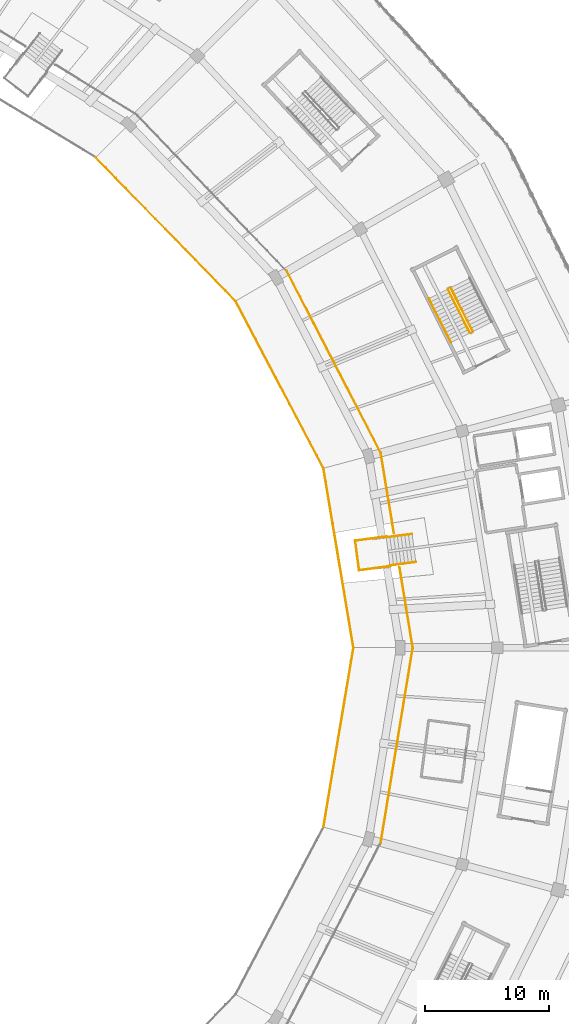
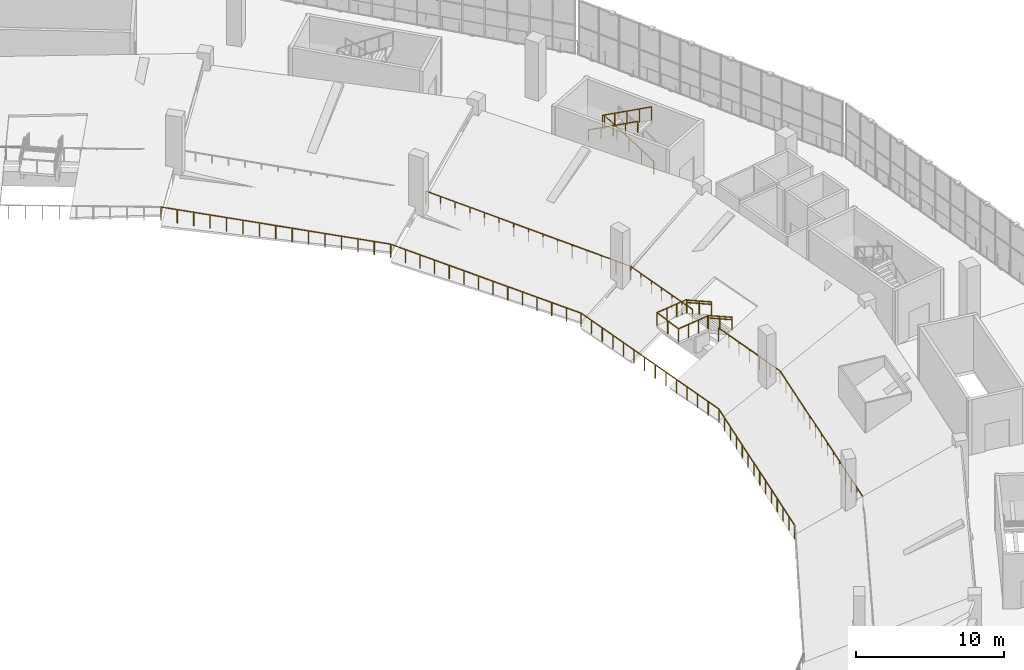
# One storey, part 133 of 152: 18 railings.
"""IFC4 building model written with IfcOpenShell, lengths in metres."""

from ifc_helpers import new_model, si_unit, direction, frame, origin, origin_2d, place, context, subcontext, project, spatial, circle, extrude, material, type_object, element, save


model = new_model("IFC4")

# Units and contexts
model_context = context("Model", 3, precision=1e-05, world=origin(), true_north=direction((0.0, 1.0)))
body_context = subcontext(model_context, "Body", "Model", "MODEL_VIEW")
ifc_project = project(units=[si_unit("LENGTHUNIT", "METRE"), si_unit("AREAUNIT", "SQUARE_METRE"), si_unit("VOLUMEUNIT", "CUBIC_METRE"), si_unit("PLANEANGLEUNIT", "RADIAN"), si_unit("MASSUNIT", "GRAM", prefix="KILO")], contexts=[model_context])

# Site, building, storey
site_placement = place(None, origin())
site = spatial("IfcSite", under=ifc_project, at=site_placement, CompositionType="ELEMENT")
building_placement = place(site_placement, origin())
building = spatial("IfcBuilding", under=site, at=building_placement, Name="Zevraka Park Crest Stadium", CompositionType="ELEMENT")
storey_placement = place(building_placement, frame((0.0, 0.0, 15.0)))
storey = spatial("IfcBuildingStorey", under=building, at=storey_placement, Name="L03", CompositionType="ELEMENT", Elevation=15.0)

# Railings
ifc_material_1 = material(Name="Galvanised and bronze-finished steel balustrade", Category="steel")
railing_type_1 = type_object("IfcRailingType", Name="GR01", PredefinedType="GUARDRAIL", material=ifc_material_1)
railing_1_placement = place(storey_placement, frame((184.944091796875, 76.3291015625, 0.0)))
element("IfcRailing", 1, at=railing_1_placement, inside=storey, type_object=railing_type_1, Name="Deck Edge Protection Guardrail GR01 L03-62", PredefinedType="GUARDRAIL", context=body_context, shape_type="SweptSolid", body=[
    extrude(circle(Radius=0.02392578125, at=origin_2d()), frame((0.0, 0.0, 1.076171875), z_axis=(0.162250715874, 0.986749565593, 0.0), x_axis=(-0.986749565593, 0.162250715874, 0.0)), (0.0, 0.0, 1.0), 15.8701171875),
    extrude(circle(Radius=0.02099609375, at=origin_2d()), origin(), (0.0, 0.0, 1.0), 1.052001953125),
    extrude(circle(Radius=0.02099609375, at=origin_2d()), frame((0.183837890625, 1.11865234375, 0.0)), (0.0, 0.0, 1.0), 1.052001953125),
    extrude(circle(Radius=0.02099609375, at=origin_2d()), frame((0.367919921875, 2.237060546875, 0.0)), (0.0, 0.0, 1.0), 1.052001953125),
    extrude(circle(Radius=0.02099609375, at=origin_2d()), frame((0.5517578125, 3.355712890625, 0.0)), (0.0, 0.0, 1.0), 1.052001953125),
    extrude(circle(Radius=0.02099609375, at=origin_2d()), frame((0.735595703125, 4.474365234375, 0.0)), (0.0, 0.0, 1.0), 1.052001953125),
    extrude(circle(Radius=0.02099609375, at=origin_2d()), frame((0.919677734375, 5.5927734375, 0.0)), (0.0, 0.0, 1.0), 1.052001953125),
    extrude(circle(Radius=0.02099609375, at=origin_2d()), frame((1.103515625, 6.71142578125, 0.0)), (0.0, 0.0, 1.0), 1.052001953125),
    extrude(circle(Radius=0.02099609375, at=origin_2d()), frame((1.28759765625, 7.830078125, 0.0)), (0.0, 0.0, 1.0), 1.052001953125),
    extrude(circle(Radius=0.02099609375, at=origin_2d()), frame((1.471435546875, 8.948486328125, 0.0)), (0.0, 0.0, 1.0), 1.052001953125),
    extrude(circle(Radius=0.02099609375, at=origin_2d()), frame((1.6552734375, 10.067138671875, 0.0)), (0.0, 0.0, 1.0), 1.052001953125),
    extrude(circle(Radius=0.02099609375, at=origin_2d()), frame((1.83935546875, 11.185546875, 0.0)), (0.0, 0.0, 1.0), 1.052001953125),
    extrude(circle(Radius=0.02099609375, at=origin_2d()), frame((2.023193359375, 12.30419921875, 0.0)), (0.0, 0.0, 1.0), 1.052001953125),
    extrude(circle(Radius=0.02099609375, at=origin_2d()), frame((2.20703125, 13.4228515625, 0.0)), (0.0, 0.0, 1.0), 1.052001953125),
    extrude(circle(Radius=0.02099609375, at=origin_2d()), frame((2.39111328125, 14.541259765625, 0.0)), (0.0, 0.0, 1.0), 1.052001953125),
    extrude(circle(Radius=0.02099609375, at=origin_2d()), frame((2.574951171875, 15.659912109375, 0.0)), (0.0, 0.0, 1.0), 1.052001953125),
])
railing_2_placement = place(storey_placement, frame((187.51904296875, 91.989013671875, 0.0)))
element("IfcRailing", 2, at=railing_2_placement, inside=storey, type_object=railing_type_1, Name="Deck Edge Protection Guardrail GR01 L03-63", PredefinedType="GUARDRAIL", context=body_context, shape_type="SweptSolid", body=[
    extrude(circle(Radius=0.02392578125, at=origin_2d()), frame((0.0, 0.0, 1.076171875), z_axis=(-0.16161667002, 0.98685361223, 0.0), x_axis=(-0.98685361223, -0.16161667002, 0.0)), (0.0, 0.0, 1.0), 6.547119140625),
    extrude(circle(Radius=0.02099609375, at=origin_2d()), origin(), (0.0, 0.0, 1.0), 1.052001953125),
    extrude(circle(Radius=0.02099609375, at=origin_2d()), frame((-0.17626953125, 1.076904296875, 0.0)), (0.0, 0.0, 1.0), 1.052001953125),
    extrude(circle(Radius=0.02099609375, at=origin_2d()), frame((-0.352783203125, 2.153564453125, 0.0)), (0.0, 0.0, 1.0), 1.052001953125),
    extrude(circle(Radius=0.02099609375, at=origin_2d()), frame((-0.529052734375, 3.23046875, 0.0)), (0.0, 0.0, 1.0), 1.052001953125),
    extrude(circle(Radius=0.02099609375, at=origin_2d()), frame((-0.705322265625, 4.307373046875, 0.0)), (0.0, 0.0, 1.0), 1.052001953125),
    extrude(circle(Radius=0.02099609375, at=origin_2d()), frame((-0.8818359375, 5.384033203125, 0.0)), (0.0, 0.0, 1.0), 1.052001953125),
    extrude(circle(Radius=0.02099609375, at=origin_2d()), frame((-1.05810546875, 6.4609375, 0.0)), (0.0, 0.0, 1.0), 1.052001953125),
])
railing_3_placement = place(storey_placement, frame((186.007080078125, 101.214111328125, 0.0)))
element("IfcRailing", 3, at=railing_3_placement, inside=storey, type_object=railing_type_1, Name="Deck Edge Protection Guardrail GR01 L03-64", PredefinedType="GUARDRAIL", context=body_context, shape_type="SweptSolid", body=[
    extrude(circle(Radius=0.02392578125, at=origin_2d()), frame((0.0, 0.0, 1.076171875), z_axis=(-0.162742913329, 0.986668507738, 0.0), x_axis=(-0.986668507738, -0.162742913329, 0.0)), (0.0, 0.0, 1.0), 6.55126953125),
    extrude(circle(Radius=0.02099609375, at=origin_2d()), origin(), (0.0, 0.0, 1.0), 1.052001953125),
    extrude(circle(Radius=0.02099609375, at=origin_2d()), frame((-0.177734375, 1.077392578125, 0.0)), (0.0, 0.0, 1.0), 1.052001953125),
    extrude(circle(Radius=0.02099609375, at=origin_2d()), frame((-0.35546875, 2.154541015625, 0.0)), (0.0, 0.0, 1.0), 1.052001953125),
    extrude(circle(Radius=0.02099609375, at=origin_2d()), frame((-0.533203125, 3.23193359375, 0.0)), (0.0, 0.0, 1.0), 1.052001953125),
    extrude(circle(Radius=0.02099609375, at=origin_2d()), frame((-0.710693359375, 4.309326171875, 0.0)), (0.0, 0.0, 1.0), 1.052001953125),
    extrude(circle(Radius=0.02099609375, at=origin_2d()), frame((-0.888427734375, 5.386474609375, 0.0)), (0.0, 0.0, 1.0), 1.052001953125),
    extrude(circle(Radius=0.02099609375, at=origin_2d()), frame((-1.066162109375, 6.4638671875, 0.0)), (0.0, 0.0, 1.0), 1.052001953125),
])
railing_4_placement = place(storey_placement, frame((184.94091796875, 107.677978515625, 0.0)))
element("IfcRailing", 4, at=railing_4_placement, inside=storey, type_object=railing_type_1, Name="Deck Edge Protection Guardrail GR01 L03-65", PredefinedType="GUARDRAIL", context=body_context, shape_type="SweptSolid", body=[
    extrude(circle(Radius=0.02392578125, at=origin_2d()), frame((0.0, 0.0, 1.076171875), z_axis=(-0.459295538886, 0.88828351778, 0.0), x_axis=(-0.88828351778, -0.459295538886, 0.0)), (0.0, 0.0, 1.0), 16.425048828125),
    extrude(circle(Radius=0.02099609375, at=origin_2d()), origin(), (0.0, 0.0, 1.0), 1.052001953125),
    extrude(circle(Radius=0.02099609375, at=origin_2d()), frame((-0.538818359375, 1.042236328125, 0.0)), (0.0, 0.0, 1.0), 1.052001953125),
    extrude(circle(Radius=0.02099609375, at=origin_2d()), frame((-1.07763671875, 2.084228515625, 0.0)), (0.0, 0.0, 1.0), 1.052001953125),
    extrude(circle(Radius=0.02099609375, at=origin_2d()), frame((-1.616455078125, 3.12646484375, 0.0)), (0.0, 0.0, 1.0), 1.052001953125),
    extrude(circle(Radius=0.02099609375, at=origin_2d()), frame((-2.155517578125, 4.168701171875, 0.0)), (0.0, 0.0, 1.0), 1.052001953125),
    extrude(circle(Radius=0.02099609375, at=origin_2d()), frame((-2.6943359375, 5.210693359375, 0.0)), (0.0, 0.0, 1.0), 1.052001953125),
    extrude(circle(Radius=0.02099609375, at=origin_2d()), frame((-3.233154296875, 6.2529296875, 0.0)), (0.0, 0.0, 1.0), 1.052001953125),
    extrude(circle(Radius=0.02099609375, at=origin_2d()), frame((-3.77197265625, 7.294921875, 0.0)), (0.0, 0.0, 1.0), 1.052001953125),
    extrude(circle(Radius=0.02099609375, at=origin_2d()), frame((-4.310791015625, 8.337158203125, 0.0)), (0.0, 0.0, 1.0), 1.052001953125),
    extrude(circle(Radius=0.02099609375, at=origin_2d()), frame((-4.849609375, 9.37939453125, 0.0)), (0.0, 0.0, 1.0), 1.052001953125),
    extrude(circle(Radius=0.02099609375, at=origin_2d()), frame((-5.388427734375, 10.42138671875, 0.0)), (0.0, 0.0, 1.0), 1.052001953125),
    extrude(circle(Radius=0.02099609375, at=origin_2d()), frame((-5.927490234375, 11.463623046875, 0.0)), (0.0, 0.0, 1.0), 1.052001953125),
    extrude(circle(Radius=0.02099609375, at=origin_2d()), frame((-6.46630859375, 12.505859375, 0.0)), (0.0, 0.0, 1.0), 1.052001953125),
    extrude(circle(Radius=0.02099609375, at=origin_2d()), frame((-7.005126953125, 13.5478515625, 0.0)), (0.0, 0.0, 1.0), 1.052001953125),
    extrude(circle(Radius=0.02099609375, at=origin_2d()), frame((-7.5439453125, 14.590087890625, 0.0)), (0.0, 0.0, 1.0), 1.052001953125),
])
ifc_material_2 = material(Name="Laminated glass and stainless steel sightline bowl guard", Category="steel")
railing_type_2 = type_object("IfcRailingType", Name="GR02", PredefinedType="GUARDRAIL", material=ifc_material_2)
railing_5_placement = place(storey_placement, frame((182.75, 92.0, -1.5)))
element("IfcRailing", 5, at=railing_5_placement, inside=storey, type_object=railing_type_2, Name="Upper Tier Cantilever Sightline Guard GR02 00", PredefinedType="GUARDRAIL", context=body_context, shape_type="SweptSolid", body=[
    extrude(circle(Radius=0.02392578125, at=origin_2d()), frame((0.0, 0.0, 1.09619140625), z_axis=(-0.164802211823, 0.986326635034, 0.0), x_axis=(-0.986326635034, -0.164802211823, 0.0)), (0.0, 0.0, 1.0), 14.62890625),
    extrude(circle(Radius=0.02099609375, at=origin_2d()), origin(), (0.0, 0.0, 1.0), 1.072021484375),
    extrude(circle(Radius=0.02099609375, at=origin_2d()), frame((-0.185546875, 1.10986328125, 0.0)), (0.0, 0.0, 1.0), 1.072021484375),
    extrude(circle(Radius=0.02099609375, at=origin_2d()), frame((-0.370849609375, 2.2197265625, 0.0)), (0.0, 0.0, 1.0), 1.072021484375),
    extrude(circle(Radius=0.02099609375, at=origin_2d()), frame((-0.556396484375, 3.329833984375, 0.0)), (0.0, 0.0, 1.0), 1.072021484375),
    extrude(circle(Radius=0.02099609375, at=origin_2d()), frame((-0.74169921875, 4.439697265625, 0.0)), (0.0, 0.0, 1.0), 1.072021484375),
    extrude(circle(Radius=0.02099609375, at=origin_2d()), frame((-0.92724609375, 5.549560546875, 0.0)), (0.0, 0.0, 1.0), 1.072021484375),
    extrude(circle(Radius=0.02099609375, at=origin_2d()), frame((-1.11279296875, 6.659423828125, 0.0)), (0.0, 0.0, 1.0), 1.072021484375),
    extrude(circle(Radius=0.02099609375, at=origin_2d()), frame((-1.298095703125, 7.76953125, 0.0)), (0.0, 0.0, 1.0), 1.072021484375),
    extrude(circle(Radius=0.02099609375, at=origin_2d()), frame((-1.483642578125, 8.87939453125, 0.0)), (0.0, 0.0, 1.0), 1.072021484375),
    extrude(circle(Radius=0.02099609375, at=origin_2d()), frame((-1.669189453125, 9.9892578125, 0.0)), (0.0, 0.0, 1.0), 1.072021484375),
    extrude(circle(Radius=0.02099609375, at=origin_2d()), frame((-1.8544921875, 11.09912109375, 0.0)), (0.0, 0.0, 1.0), 1.072021484375),
    extrude(circle(Radius=0.02099609375, at=origin_2d()), frame((-2.0400390625, 12.209228515625, 0.0)), (0.0, 0.0, 1.0), 1.072021484375),
    extrude(circle(Radius=0.02099609375, at=origin_2d()), frame((-2.225341796875, 13.319091796875, 0.0)), (0.0, 0.0, 1.0), 1.072021484375),
    extrude(circle(Radius=0.02099609375, at=origin_2d()), frame((-2.410888671875, 14.428955078125, 0.0)), (0.0, 0.0, 1.0), 1.072021484375),
])
railing_6_placement = place(storey_placement, frame((180.339111328125, 106.428955078125, -1.5)))
element("IfcRailing", 6, at=railing_6_placement, inside=storey, type_object=railing_type_2, Name="Upper Tier Cantilever Sightline Guard GR02 01", PredefinedType="GUARDRAIL", context=body_context, shape_type="SweptSolid", body=[
    extrude(circle(Radius=0.02392578125, at=origin_2d()), frame((0.0, 0.0, 1.09619140625), z_axis=(-0.46529528059, 0.885155524109, 0.0), x_axis=(-0.885155524109, -0.46529528059, 0.0)), (0.0, 0.0, 1.0), 15.190673828125),
    extrude(circle(Radius=0.02099609375, at=origin_2d()), origin(), (0.0, 0.0, 1.0), 1.072021484375),
    extrude(circle(Radius=0.02099609375, at=origin_2d()), frame((-0.543701171875, 1.034423828125, 0.0)), (0.0, 0.0, 1.0), 1.072021484375),
    extrude(circle(Radius=0.02099609375, at=origin_2d()), frame((-1.08740234375, 2.068603515625, 0.0)), (0.0, 0.0, 1.0), 1.072021484375),
    extrude(circle(Radius=0.02099609375, at=origin_2d()), frame((-1.631103515625, 3.10302734375, 0.0)), (0.0, 0.0, 1.0), 1.072021484375),
    extrude(circle(Radius=0.02099609375, at=origin_2d()), frame((-2.1748046875, 4.13720703125, 0.0)), (0.0, 0.0, 1.0), 1.072021484375),
    extrude(circle(Radius=0.02099609375, at=origin_2d()), frame((-2.718505859375, 5.171630859375, 0.0)), (0.0, 0.0, 1.0), 1.072021484375),
    extrude(circle(Radius=0.02099609375, at=origin_2d()), frame((-3.26220703125, 6.205810546875, 0.0)), (0.0, 0.0, 1.0), 1.072021484375),
    extrude(circle(Radius=0.02099609375, at=origin_2d()), frame((-3.805908203125, 7.240234375, 0.0)), (0.0, 0.0, 1.0), 1.072021484375),
    extrude(circle(Radius=0.02099609375, at=origin_2d()), frame((-4.349609375, 8.2744140625, 0.0)), (0.0, 0.0, 1.0), 1.072021484375),
    extrude(circle(Radius=0.02099609375, at=origin_2d()), frame((-4.893310546875, 9.308837890625, 0.0)), (0.0, 0.0, 1.0), 1.072021484375),
    extrude(circle(Radius=0.02099609375, at=origin_2d()), frame((-5.43701171875, 10.343017578125, 0.0)), (0.0, 0.0, 1.0), 1.072021484375),
    extrude(circle(Radius=0.02099609375, at=origin_2d()), frame((-5.980712890625, 11.37744140625, 0.0)), (0.0, 0.0, 1.0), 1.072021484375),
    extrude(circle(Radius=0.02099609375, at=origin_2d()), frame((-6.5244140625, 12.41162109375, 0.0)), (0.0, 0.0, 1.0), 1.072021484375),
    extrude(circle(Radius=0.02099609375, at=origin_2d()), frame((-7.068115234375, 13.446044921875, 0.0)), (0.0, 0.0, 1.0), 1.072021484375),
])
railing_7_placement = place(storey_placement, frame((173.27099609375, 119.875, -1.5)))
element("IfcRailing", 7, at=railing_7_placement, inside=storey, type_object=railing_type_2, Name="Upper Tier Cantilever Sightline Guard GR02 02", PredefinedType="GUARDRAIL", context=body_context, shape_type="SweptSolid", body=[
    extrude(circle(Radius=0.02392578125, at=origin_2d()), frame((0.0, 0.0, 1.09619140625), z_axis=(-0.697644105553, 0.716444486326, 0.0), x_axis=(-0.716444486326, -0.697644105553, 0.0)), (0.0, 0.0, 1.0), 16.115478515625),
    extrude(circle(Radius=0.02099609375, at=origin_2d()), origin(), (0.0, 0.0, 1.0), 1.072021484375),
    extrude(circle(Radius=0.02099609375, at=origin_2d()), frame((-0.802978515625, 0.82470703125, 0.0)), (0.0, 0.0, 1.0), 1.072021484375),
    extrude(circle(Radius=0.02099609375, at=origin_2d()), frame((-1.606201171875, 1.6494140625, 0.0)), (0.0, 0.0, 1.0), 1.072021484375),
    extrude(circle(Radius=0.02099609375, at=origin_2d()), frame((-2.4091796875, 2.47412109375, 0.0)), (0.0, 0.0, 1.0), 1.072021484375),
    extrude(circle(Radius=0.02099609375, at=origin_2d()), frame((-3.212158203125, 3.298828125, 0.0)), (0.0, 0.0, 1.0), 1.072021484375),
    extrude(circle(Radius=0.02099609375, at=origin_2d()), frame((-4.015380859375, 4.12353515625, 0.0)), (0.0, 0.0, 1.0), 1.072021484375),
    extrude(circle(Radius=0.02099609375, at=origin_2d()), frame((-4.818359375, 4.9482421875, 0.0)), (0.0, 0.0, 1.0), 1.072021484375),
    extrude(circle(Radius=0.02099609375, at=origin_2d()), frame((-5.62158203125, 5.77294921875, 0.0)), (0.0, 0.0, 1.0), 1.072021484375),
    extrude(circle(Radius=0.02099609375, at=origin_2d()), frame((-6.424560546875, 6.59765625, 0.0)), (0.0, 0.0, 1.0), 1.072021484375),
    extrude(circle(Radius=0.02099609375, at=origin_2d()), frame((-7.2275390625, 7.42236328125, 0.0)), (0.0, 0.0, 1.0), 1.072021484375),
    extrude(circle(Radius=0.02099609375, at=origin_2d()), frame((-8.03076171875, 8.2470703125, 0.0)), (0.0, 0.0, 1.0), 1.072021484375),
    extrude(circle(Radius=0.02099609375, at=origin_2d()), frame((-8.833740234375, 9.07177734375, 0.0)), (0.0, 0.0, 1.0), 1.072021484375),
    extrude(circle(Radius=0.02099609375, at=origin_2d()), frame((-9.63671875, 9.896484375, 0.0)), (0.0, 0.0, 1.0), 1.072021484375),
    extrude(circle(Radius=0.02099609375, at=origin_2d()), frame((-10.43994140625, 10.72119140625, 0.0)), (0.0, 0.0, 1.0), 1.072021484375),
    extrude(circle(Radius=0.02099609375, at=origin_2d()), frame((-11.242919921875, 11.5458984375, 0.0)), (0.0, 0.0, 1.0), 1.072021484375),
])
railing_8_placement = place(storey_placement, frame((180.339111328125, 77.571044921875, -1.5)))
element("IfcRailing", 8, at=railing_8_placement, inside=storey, type_object=railing_type_2, Name="Upper Tier Cantilever Sightline Guard GR02 23", PredefinedType="GUARDRAIL", context=body_context, shape_type="SweptSolid", body=[
    extrude(circle(Radius=0.02392578125, at=origin_2d()), frame((0.0, 0.0, 1.09619140625), z_axis=(0.164802211823, 0.986326635034, 0.0), x_axis=(-0.986326635034, 0.164802211823, 0.0)), (0.0, 0.0, 1.0), 14.62890625),
    extrude(circle(Radius=0.02099609375, at=origin_2d()), origin(), (0.0, 0.0, 1.0), 1.072021484375),
    extrude(circle(Radius=0.02099609375, at=origin_2d()), frame((0.185546875, 1.10986328125, 0.0)), (0.0, 0.0, 1.0), 1.072021484375),
    extrude(circle(Radius=0.02099609375, at=origin_2d()), frame((0.370849609375, 2.2197265625, 0.0)), (0.0, 0.0, 1.0), 1.072021484375),
    extrude(circle(Radius=0.02099609375, at=origin_2d()), frame((0.556396484375, 3.329833984375, 0.0)), (0.0, 0.0, 1.0), 1.072021484375),
    extrude(circle(Radius=0.02099609375, at=origin_2d()), frame((0.74169921875, 4.439697265625, 0.0)), (0.0, 0.0, 1.0), 1.072021484375),
    extrude(circle(Radius=0.02099609375, at=origin_2d()), frame((0.92724609375, 5.549560546875, 0.0)), (0.0, 0.0, 1.0), 1.072021484375),
    extrude(circle(Radius=0.02099609375, at=origin_2d()), frame((1.11279296875, 6.659423828125, 0.0)), (0.0, 0.0, 1.0), 1.072021484375),
    extrude(circle(Radius=0.02099609375, at=origin_2d()), frame((1.298095703125, 7.76953125, 0.0)), (0.0, 0.0, 1.0), 1.072021484375),
    extrude(circle(Radius=0.02099609375, at=origin_2d()), frame((1.483642578125, 8.87939453125, 0.0)), (0.0, 0.0, 1.0), 1.072021484375),
    extrude(circle(Radius=0.02099609375, at=origin_2d()), frame((1.669189453125, 9.9892578125, 0.0)), (0.0, 0.0, 1.0), 1.072021484375),
    extrude(circle(Radius=0.02099609375, at=origin_2d()), frame((1.8544921875, 11.09912109375, 0.0)), (0.0, 0.0, 1.0), 1.072021484375),
    extrude(circle(Radius=0.02099609375, at=origin_2d()), frame((2.0400390625, 12.209228515625, 0.0)), (0.0, 0.0, 1.0), 1.072021484375),
    extrude(circle(Radius=0.02099609375, at=origin_2d()), frame((2.225341796875, 13.319091796875, 0.0)), (0.0, 0.0, 1.0), 1.072021484375),
    extrude(circle(Radius=0.02099609375, at=origin_2d()), frame((2.410888671875, 14.428955078125, 0.0)), (0.0, 0.0, 1.0), 1.072021484375),
])
ifc_material_3 = material(Name="Powder-coated tubular steel stairwell guard", Category="steel")
railing_type_3 = type_object("IfcRailingType", Name="GR03", PredefinedType="GUARDRAIL", material=ifc_material_3)
railing_9_placement = place(storey_placement, frame((192.3466796875, 117.413330078125, 0.17138671875)))
element("IfcRailing", 9, at=railing_9_placement, inside=storey, type_object=railing_type_3, Name="L03 ST02 stair guard 1", PredefinedType="GUARDRAIL", context=body_context, shape_type="SweptSolid", body=[
    extrude(circle(Radius=0.02392578125, at=origin_2d()), frame((0.0, 0.0, 1.076171875), z_axis=(-0.390499471061, 0.779388635026, 0.489962772763), x_axis=(-0.894057440576, -0.447952333346, 0.0)), (0.0, 0.0, 1.0), 4.54833984375),
    extrude(circle(Radius=0.02099609375, at=origin_2d()), origin(), (0.0, 0.0, 1.0), 1.052001953125),
    extrude(circle(Radius=0.02099609375, at=origin_2d()), frame((-0.444091796875, 0.88623046875, 0.55712890625)), (0.0, 0.0, 1.0), 1.052001953125),
    extrude(circle(Radius=0.02099609375, at=origin_2d()), frame((-0.88818359375, 1.7724609375, 1.1142578125)), (0.0, 0.0, 1.0), 1.052001953125),
    extrude(circle(Radius=0.02099609375, at=origin_2d()), frame((-1.33203125, 2.65869140625, 1.67138671875)), (0.0, 0.0, 1.0), 1.052001953125),
    extrude(circle(Radius=0.02099609375, at=origin_2d()), frame((-1.776123046875, 3.544921875, 2.228515625)), (0.0, 0.0, 1.0), 1.052001953125),
])
railing_10_placement = place(storey_placement, frame((190.338134765625, 120.841796875, 2.571533203125)))
element("IfcRailing", 10, at=railing_10_placement, inside=storey, type_object=railing_type_3, Name="L03 ST02 stair guard 3", PredefinedType="GUARDRAIL", context=body_context, shape_type="SweptSolid", body=[
    extrude(circle(Radius=0.02392578125, at=origin_2d()), frame((0.0, 0.0, 1.076171875), z_axis=(0.39045397791, -0.779404971028, 0.489973042393), x_axis=(0.894082100069, 0.447903112666, 0.0)), (0.0, 0.0, 1.0), 4.54833984375),
    extrude(circle(Radius=0.02099609375, at=origin_2d()), origin(), (0.0, 0.0, 1.0), 1.052001953125),
    extrude(circle(Radius=0.02099609375, at=origin_2d()), frame((0.44384765625, -0.88623046875, 0.55712890625)), (0.0, 0.0, 1.0), 1.052001953125),
    extrude(circle(Radius=0.02099609375, at=origin_2d()), frame((0.887939453125, -1.7724609375, 1.1142578125)), (0.0, 0.0, 1.0), 1.052001953125),
    extrude(circle(Radius=0.02099609375, at=origin_2d()), frame((1.33203125, -2.65869140625, 1.67138671875)), (0.0, 0.0, 1.0), 1.052001953125),
    extrude(circle(Radius=0.02099609375, at=origin_2d()), frame((1.77587890625, -3.544921875, 2.228515625)), (0.0, 0.0, 1.0), 1.052001953125),
])
for number, where, name in (
    (11, (187.4609375, 101.14306640625, 0.14990234375), "Vomitory Flight Guard VS-09-1"),
    (12, (187.759033203125, 98.883056640625, 0.14990234375), "Vomitory Flight Guard VS-09-2"),
):
    element("IfcRailing", number, at=place(storey_placement, frame(where)), inside=storey, type_object=railing_type_3, Name=name, PredefinedType="GUARDRAIL", context=body_context, shape_type="SweptSolid", body=[
        extrude(circle(Radius=0.02392578125, at=origin_2d()), frame((0.0, 0.0, 1.076171875), z_axis=(-0.886763862764, -0.116772492716, 0.447229288666), x_axis=(0.130556761174, -0.991440836415, 0.0)), (0.0, 0.0, 1.0), 2.347900390625),
        extrude(circle(Radius=0.02099609375, at=origin_2d()), origin(), (0.0, 0.0, 1.0), 1.052001953125),
        extrude(circle(Radius=0.02099609375, at=origin_2d()), frame((-1.041015625, -0.13720703125, 0.52490234375)), (0.0, 0.0, 1.0), 1.052001953125),
        extrude(circle(Radius=0.02099609375, at=origin_2d()), frame((-2.08203125, -0.274169921875, 1.050048828125)), (0.0, 0.0, 1.0), 1.052001953125),
    ])
railing_11_placement = place(storey_placement, frame((185.39599609375, 100.931884765625, 1.199951171875)))
element("IfcRailing", 13, at=railing_11_placement, inside=storey, type_object=railing_type_3, Name="Vomitory Landing Guard VS-09-1", PredefinedType="GUARDRAIL", context=body_context, shape_type="SweptSolid", body=[
    extrude(circle(Radius=0.02392578125, at=origin_2d()), frame((0.0, 0.0, 1.076171875), z_axis=(-0.991428602217, -0.130649633398, 0.0), x_axis=(0.130649633398, -0.991428602217, 0.0)), (0.0, 0.0, 1.0), 2.524658203125),
    extrude(circle(Radius=0.02099609375, at=origin_2d()), origin(), (0.0, 0.0, 1.0), 1.052001953125),
    extrude(circle(Radius=0.02099609375, at=origin_2d()), frame((-0.834228515625, -0.10986328125, 0.0)), (0.0, 0.0, 1.0), 1.052001953125),
    extrude(circle(Radius=0.02099609375, at=origin_2d()), frame((-1.668701171875, -0.219970703125, 0.0)), (0.0, 0.0, 1.0), 1.052001953125),
    extrude(circle(Radius=0.02099609375, at=origin_2d()), frame((-2.5029296875, -0.329833984375, 0.0)), (0.0, 0.0, 1.0), 1.052001953125),
])
railing_12_placement = place(storey_placement, frame((182.89306640625, 100.60205078125, 1.199951171875)))
element("IfcRailing", 14, at=railing_12_placement, inside=storey, type_object=railing_type_3, Name="Vomitory Landing Guard VS-09-2", PredefinedType="GUARDRAIL", context=body_context, shape_type="SweptSolid", body=[
    extrude(circle(Radius=0.02392578125, at=origin_2d()), frame((0.0, 0.0, 1.076171875), z_axis=(0.130430826272, -0.991457411873, 0.0), x_axis=(0.991457411873, 0.130430826272, 0.0)), (0.0, 0.0, 1.0), 2.399658203125),
    extrude(circle(Radius=0.02099609375, at=origin_2d()), origin(), (0.0, 0.0, 1.0), 1.052001953125),
    extrude(circle(Radius=0.02099609375, at=origin_2d()), frame((0.156494140625, -1.189453125, 0.0)), (0.0, 0.0, 1.0), 1.052001953125),
    extrude(circle(Radius=0.02099609375, at=origin_2d()), frame((0.31298828125, -2.379150390625, 0.0)), (0.0, 0.0, 1.0), 1.052001953125),
])
railing_13_placement = place(storey_placement, frame((183.2060546875, 98.222900390625, 1.199951171875)))
element("IfcRailing", 15, at=railing_13_placement, inside=storey, type_object=railing_type_3, Name="Vomitory Landing Guard VS-09-3", PredefinedType="GUARDRAIL", context=body_context, shape_type="SweptSolid", body=[
    extrude(circle(Radius=0.02392578125, at=origin_2d()), frame((0.0, 0.0, 1.076171875), z_axis=(0.991466141497, 0.130364451691, 0.0), x_axis=(-0.130364451691, 0.991466141497, 0.0)), (0.0, 0.0, 1.0), 2.5244140625),
    extrude(circle(Radius=0.02099609375, at=origin_2d()), origin(), (0.0, 0.0, 1.0), 1.052001953125),
    extrude(circle(Radius=0.02099609375, at=origin_2d()), frame((0.834228515625, 0.109619140625, 0.0)), (0.0, 0.0, 1.0), 1.052001953125),
    extrude(circle(Radius=0.02099609375, at=origin_2d()), frame((1.668701171875, 0.219482421875, 0.0)), (0.0, 0.0, 1.0), 1.052001953125),
    extrude(circle(Radius=0.02099609375, at=origin_2d()), frame((2.5029296875, 0.3291015625, 0.0)), (0.0, 0.0, 1.0), 1.052001953125),
])
ifc_material_4 = material(Name="Brushed stainless steel continuous handrail", Category="steel")
railing_type_4 = type_object("IfcRailingType", Name="HR01", PredefinedType="HANDRAIL", material=ifc_material_4)
railing_14_placement = place(storey_placement, frame((188.818115234375, 120.080322265625, 2.571533203125)))
element("IfcRailing", 16, at=railing_14_placement, inside=storey, type_object=railing_type_4, Name="L03 ST02 stair handrail 2", PredefinedType="HANDRAIL", context=body_context, shape_type="SweptSolid", body=[
    extrude(circle(Radius=0.02392578125, at=origin_2d()), frame((0.0, 0.0, 0.8759765625), z_axis=(0.390499471061, -0.779388635026, 0.489962772763), x_axis=(0.894057440576, 0.447952333346, 0.0)), (0.0, 0.0, 1.0), 4.54833984375),
    extrude(circle(Radius=0.02099609375, at=origin_2d()), origin(), (0.0, 0.0, 1.0), 0.851806640625),
    extrude(circle(Radius=0.02099609375, at=origin_2d()), frame((0.444091796875, -0.88623046875, 0.55712890625)), (0.0, 0.0, 1.0), 0.851806640625),
    extrude(circle(Radius=0.02099609375, at=origin_2d()), frame((0.88818359375, -1.7724609375, 1.1142578125)), (0.0, 0.0, 1.0), 0.851806640625),
    extrude(circle(Radius=0.02099609375, at=origin_2d()), frame((1.33203125, -2.65869140625, 1.67138671875)), (0.0, 0.0, 1.0), 0.851806640625),
    extrude(circle(Radius=0.02099609375, at=origin_2d()), frame((1.776123046875, -3.544921875, 2.228515625)), (0.0, 0.0, 1.0), 0.851806640625),
])
for number, where, name in (
    (17, (187.4609375, 101.14306640625, 0.14990234375), "Vomitory Handrail VS-09-1"),
    (18, (187.759033203125, 98.883056640625, 0.14990234375), "Vomitory Handrail VS-09-2"),
):
    element("IfcRailing", number, at=place(storey_placement, frame(where)), inside=storey, type_object=railing_type_4, Name=name, PredefinedType="HANDRAIL", context=body_context, shape_type="SweptSolid", body=[
        extrude(circle(Radius=0.02392578125, at=origin_2d()), frame((0.0, 0.0, 0.8759765625), z_axis=(-0.886763862764, -0.116772492716, 0.447229288666), x_axis=(0.130556761174, -0.991440836415, 0.0)), (0.0, 0.0, 1.0), 2.347900390625),
        extrude(circle(Radius=0.02099609375, at=origin_2d()), origin(), (0.0, 0.0, 1.0), 0.851806640625),
        extrude(circle(Radius=0.02099609375, at=origin_2d()), frame((-1.041015625, -0.13720703125, 0.52490234375)), (0.0, 0.0, 1.0), 0.851806640625),
        extrude(circle(Radius=0.02099609375, at=origin_2d()), frame((-2.08203125, -0.274169921875, 1.050048828125)), (0.0, 0.0, 1.0), 0.851806640625),
    ])

save(model, "model.ifc")
